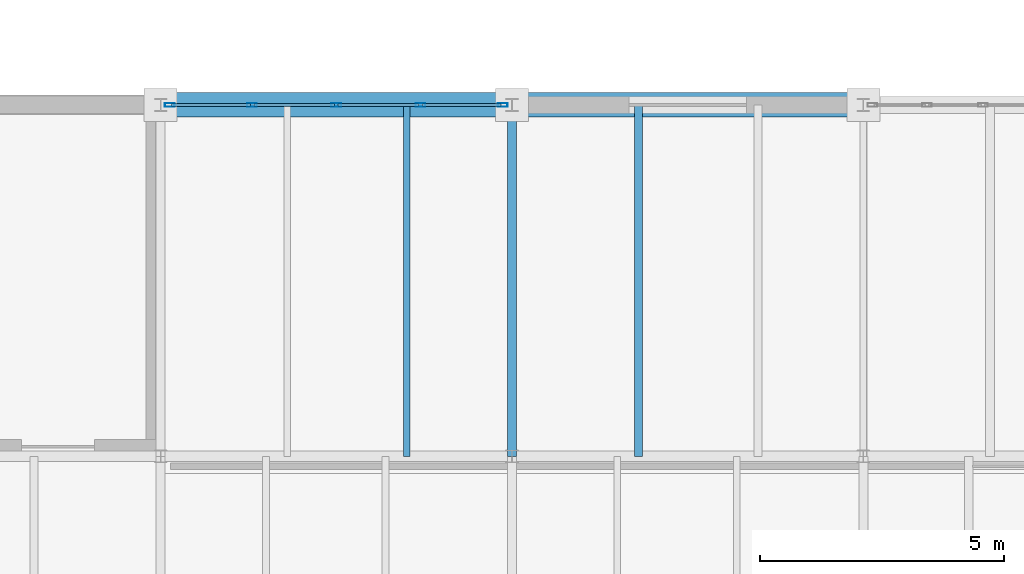
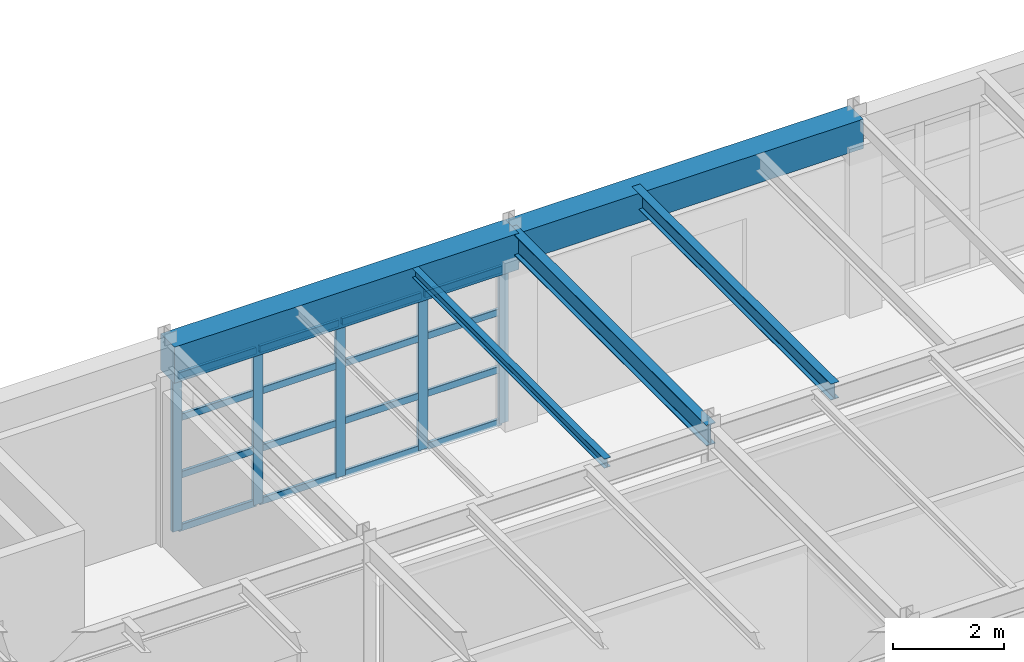
# One storey, part 52 of 137: 21 members, 5 beams, 1 element without a shape of its own.
"""IFC4 building model written with IfcOpenShell, lengths in metres."""

from ifc_helpers import new_model, si_unit, direction, frame, origin, origin_2d, place, context, subcontext, project, spatial, rectangle, hollow_rectangle, i_section, extrude, material, layer, layer_set, material_profile, profile_set, type_object, element, aggregate, save


model = new_model("IFC4")

# Units and contexts
model_context = context("Model", 3, precision=1e-05, world=origin(), true_north=direction((0.0, 1.0)))
body_context = subcontext(model_context, "Body", "Model", "MODEL_VIEW")
ifc_project = project(units=[si_unit("LENGTHUNIT", "METRE"), si_unit("AREAUNIT", "SQUARE_METRE"), si_unit("VOLUMEUNIT", "CUBIC_METRE"), si_unit("PLANEANGLEUNIT", "RADIAN"), si_unit("MASSUNIT", "GRAM", prefix="KILO")], contexts=[model_context])

# Site, building, storey
site_placement = place(None, origin())
site = spatial("IfcSite", under=ifc_project, at=site_placement, CompositionType="ELEMENT")
building_placement = place(site_placement, origin())
building = spatial("IfcBuilding", under=site, at=building_placement, Name="Kemerveld Promenade Tramway Depot", CompositionType="ELEMENT")
storey_placement = place(building_placement, frame((0.0, 0.0, 5.39990234375)))
storey = spatial("IfcBuildingStorey", under=building, at=storey_placement, Name="L01", CompositionType="ELEMENT", Elevation=5.39990234375)

# Beams
ifc_material_1 = material(Name="Steel S355", Category="steel")
ifc_material_profile_1 = material_profile(ifc_material_1, i_section(OverallWidth=0.19140625, OverallDepth=0.4599609375, WebThickness=0.010009765625, FlangeThickness=0.01611328125, FilletRadius=0.01025390625, at=origin_2d()), Name="457x191x82 UB")
ifc_profile_set_1 = profile_set([ifc_material_profile_1], Name="Steel S355")
beam_type_1 = type_object("IfcBeamType", Name="BM-G06", PredefinedType="BEAM", material=ifc_profile_set_1)
beam_1_placement = place(storey_placement, frame((108.0, 21.60009765625, 4.02001953125), z_axis=(0.0, 1.0, 0.0), x_axis=(-1.0, 0.0, 0.0)))
element("IfcBeam", 1, at=beam_1_placement, inside=storey, type_object=beam_type_1, Name="BMY-L01-16-D-E", PredefinedType="BEAM", context=body_context, shape_type="SweptSolid", body=[
    extrude(i_section(OverallWidth=0.19140625, OverallDepth=0.4599609375, WebThickness=0.010009765625, FlangeThickness=0.01611328125, FilletRadius=0.01025390625, at=origin_2d()), origin(), (0.0, 0.0, 1.0), 7.199951171875),
])
ifc_material_profile_2 = material_profile(ifc_material_1, i_section(OverallWidth=0.13330078125, OverallDepth=0.203125, WebThickness=0.005615234375, FlangeThickness=0.0078125, FilletRadius=0.007568359375, at=origin_2d()), Name="203x133x25 UB")
ifc_profile_set_2 = profile_set([ifc_material_profile_2], Name="Steel S355")
beam_type_2 = type_object("IfcBeamType", Name="BM-J03", PredefinedType="JOIST", material=ifc_profile_set_2)
beam_2_placement = place(storey_placement, frame((105.840087890625, 21.60009765625, 4.1484375), z_axis=(0.0, 1.0, 0.0), x_axis=(-1.0, 0.0, 0.0)))
element("IfcBeam", 2, at=beam_2_placement, inside=storey, type_object=beam_type_2, Name="JST-L01-15-D-2", PredefinedType="JOIST", context=body_context, shape_type="SweptSolid", body=[
    extrude(i_section(OverallWidth=0.13330078125, OverallDepth=0.203125, WebThickness=0.005615234375, FlangeThickness=0.0078125, FilletRadius=0.007568359375, at=origin_2d()), origin(), (0.0, 0.0, 1.0), 7.199951171875),
])
ifc_material_profile_3 = material_profile(ifc_material_1, i_section(OverallWidth=0.172119140625, OverallDepth=0.35791015625, WebThickness=0.008056640625, FlangeThickness=0.012939453125, FilletRadius=0.01025390625, at=origin_2d()), Name="356x171x57 UB")
ifc_profile_set_3 = profile_set([ifc_material_profile_3], Name="Steel S355")
beam_type_3 = type_object("IfcBeamType", Name="BM-J04", PredefinedType="JOIST", material=ifc_profile_set_3)
beam_3_placement = place(storey_placement, frame((110.592041015625, 21.60009765625, 4.071044921875), z_axis=(0.0, 1.0, 0.0), x_axis=(-1.0, 0.0, 0.0)))
element("IfcBeam", 3, at=beam_3_placement, inside=storey, type_object=beam_type_3, Name="JST-L01-16-D-1", PredefinedType="JOIST", context=body_context, shape_type="SweptSolid", body=[
    extrude(i_section(OverallWidth=0.172119140625, OverallDepth=0.35791015625, WebThickness=0.008056640625, FlangeThickness=0.012939453125, FilletRadius=0.01025390625, at=origin_2d()), origin(), (0.0, 0.0, 1.0), 7.199951171875),
])
ifc_material_2 = material(Name="Concrete C40/50", Category="concrete")
ifc_material_profile_4 = material_profile(ifc_material_2, rectangle(XDim=0.5, YDim=0.64990234375, at=origin_2d()), Name="RC-PLINTH-500x650")
ifc_profile_set_4 = profile_set([ifc_material_profile_4], Name="Concrete C40/50")
beam_type_4 = type_object("IfcBeamType", Name="BM-PL1", PredefinedType="BEAM", material=ifc_profile_set_4)
beam_4_placement = place(storey_placement, frame((108.0, 28.800048828125, 3.925048828125), z_axis=(1.0, 0.0, 0.0), x_axis=(0.0, 1.0, 0.0)))
element("IfcBeam", 4, at=beam_4_placement, inside=storey, type_object=beam_type_4, Name="BMX-L01-16-17-E", PredefinedType="BEAM", context=body_context, shape_type="SweptSolid", body=[
    extrude(rectangle(XDim=0.5, YDim=0.64990234375, at=origin_2d()), origin(), (0.0, 0.0, 1.0), 7.199951171875),
])
ifc_material_profile_5 = material_profile(ifc_material_2, rectangle(XDim=0.5, YDim=0.800048828125, at=origin_2d()), Name="RC-BM-500x800")
ifc_profile_set_5 = profile_set([ifc_material_profile_5], Name="Concrete C40/50")
beam_type_5 = type_object("IfcBeamType", Name="BM-RC2", PredefinedType="BEAM", material=ifc_profile_set_5)
beam_5_placement = place(storey_placement, frame((100.800048828125, 28.800048828125, 3.85009765625), z_axis=(1.0, 0.0, 0.0), x_axis=(0.0, 1.0, 0.0)))
element("IfcBeam", 5, at=beam_5_placement, inside=storey, type_object=beam_type_5, Name="BMX-L01-15-16-E", PredefinedType="BEAM", context=body_context, shape_type="SweptSolid", body=[
    extrude(rectangle(XDim=0.5, YDim=0.800048828125, at=origin_2d()), origin(), (0.0, 0.0, 1.0), 7.199951171875),
])

# Curtain wall, members
ifc_material_3 = material(Name="Bronze anodised aluminium and solar glass", Category="aluminium")
ifc_layer = layer(ifc_material_3, 0.199951171875)
ifc_layer_set = layer_set([ifc_layer], Name="CW-SYS-10")
curtain_wall_type = type_object("IfcCurtainWallType", Name="CW-SYS-10", PredefinedType="USERDEFINED", material=ifc_layer_set)
curtain_wall_placement = place(storey_placement, origin())
curtain_wall = element("IfcCurtainWall", 6, at=curtain_wall_placement, inside=storey, type_object=curtain_wall_type, Name="CW-L01-V4N-07", ObjectType="GLAZED_CURTAIN_WALL", PredefinedType="USERDEFINED")
ifc_material_4 = material(Name="Bronze anodised aluminium", Category="aluminium")
ifc_material_profile_6 = material_profile(ifc_material_4, hollow_rectangle(XDim=0.074951171875, YDim=0.199951171875, WallThickness=0.0048828125, InnerFilletRadius=0.001953125, OuterFilletRadius=0.0048828125, at=origin_2d()), Name="CW-MUL-200x75")
ifc_profile_set_6 = profile_set([ifc_material_profile_6], Name="Bronze anodised aluminium")
member_type_1 = type_object("IfcMemberType", Name="CW-MUL-B", PredefinedType="MULLION", material=ifc_profile_set_6)
member_1_placement = place(storey_placement, frame((100.987548828125, 28.800048828125, 0.0), z_axis=(0.0, 0.0, 1.0), x_axis=(0.0, 1.0, 0.0)))
member_1 = element("IfcMember", 7, at=member_1_placement, type_object=member_type_1, Name="CW10 mullion 1", PredefinedType="MULLION", context=body_context, shape_type="SweptSolid", body=[
    extrude(hollow_rectangle(XDim=0.074951171875, YDim=0.199951171875, WallThickness=0.0048828125, InnerFilletRadius=0.001953125, OuterFilletRadius=0.0048828125, at=origin_2d()), origin(), (0.0, 0.0, 1.0), 3.43017578125),
])
member_2_placement = place(storey_placement, frame((102.675048828125, 28.800048828125, 0.0), z_axis=(0.0, 0.0, 1.0), x_axis=(0.0, 1.0, 0.0)))
member_2 = element("IfcMember", 8, at=member_2_placement, type_object=member_type_1, Name="CW10 mullion 2", PredefinedType="MULLION", context=body_context, shape_type="SweptSolid", body=[
    extrude(hollow_rectangle(XDim=0.074951171875, YDim=0.199951171875, WallThickness=0.0048828125, InnerFilletRadius=0.001953125, OuterFilletRadius=0.0048828125, at=origin_2d()), origin(), (0.0, 0.0, 1.0), 3.43017578125),
])
member_3_placement = place(storey_placement, frame((104.39990234375, 28.800048828125, 0.0), z_axis=(0.0, 0.0, 1.0), x_axis=(0.0, 1.0, 0.0)))
member_3 = element("IfcMember", 9, at=member_3_placement, type_object=member_type_1, Name="CW10 mullion 3", PredefinedType="MULLION", context=body_context, shape_type="SweptSolid", body=[
    extrude(hollow_rectangle(XDim=0.074951171875, YDim=0.199951171875, WallThickness=0.0048828125, InnerFilletRadius=0.001953125, OuterFilletRadius=0.0048828125, at=origin_2d()), origin(), (0.0, 0.0, 1.0), 3.43017578125),
])
member_4_placement = place(storey_placement, frame((106.125, 28.800048828125, 0.0), z_axis=(0.0, 0.0, 1.0), x_axis=(0.0, 1.0, 0.0)))
member_4 = element("IfcMember", 10, at=member_4_placement, type_object=member_type_1, Name="CW10 mullion 4", PredefinedType="MULLION", context=body_context, shape_type="SweptSolid", body=[
    extrude(hollow_rectangle(XDim=0.074951171875, YDim=0.199951171875, WallThickness=0.0048828125, InnerFilletRadius=0.001953125, OuterFilletRadius=0.0048828125, at=origin_2d()), origin(), (0.0, 0.0, 1.0), 3.43017578125),
])
member_5_placement = place(storey_placement, frame((107.8125, 28.800048828125, 0.0), z_axis=(0.0, 0.0, 1.0), x_axis=(0.0, 1.0, 0.0)))
member_5 = element("IfcMember", 11, at=member_5_placement, type_object=member_type_1, Name="CW10 mullion 5", PredefinedType="MULLION", context=body_context, shape_type="SweptSolid", body=[
    extrude(hollow_rectangle(XDim=0.074951171875, YDim=0.199951171875, WallThickness=0.0048828125, InnerFilletRadius=0.001953125, OuterFilletRadius=0.0048828125, at=origin_2d()), origin(), (0.0, 0.0, 1.0), 3.43017578125),
])
ifc_material_profile_7 = material_profile(ifc_material_4, hollow_rectangle(XDim=0.06494140625, YDim=0.14990234375, WallThickness=0.00439453125, InnerFilletRadius=0.001953125, OuterFilletRadius=0.00439453125, at=origin_2d()), Name="CW-TRN-150x65")
ifc_profile_set_7 = profile_set([ifc_material_profile_7], Name="Bronze anodised aluminium")
member_type_2 = type_object("IfcMemberType", Name="CW-TRN-B", PredefinedType="USERDEFINED", material=ifc_profile_set_7)
member_6_placement = place(storey_placement, frame((101.025146484375, 28.800048828125, 0.03271484375), z_axis=(1.0, 0.0, 0.0), x_axis=(0.0, 1.0, 0.0)))
member_6 = element("IfcMember", 12, at=member_6_placement, type_object=member_type_2, Name="CW10 transom 1.1", ObjectType="TRANSOM", PredefinedType="USERDEFINED", context=body_context, shape_type="SweptSolid", body=[
    extrude(hollow_rectangle(XDim=0.06494140625, YDim=0.14990234375, WallThickness=0.00439453125, InnerFilletRadius=0.001953125, OuterFilletRadius=0.00439453125, at=origin_2d()), origin(), (0.0, 0.0, 1.0), 1.6123046875),
])
member_7_placement = place(storey_placement, frame((101.025146484375, 28.800048828125, 1.201171875), z_axis=(1.0, 0.0, 0.0), x_axis=(0.0, 1.0, 0.0)))
member_7 = element("IfcMember", 13, at=member_7_placement, type_object=member_type_2, Name="CW10 transom 1.2", ObjectType="TRANSOM", PredefinedType="USERDEFINED", context=body_context, shape_type="SweptSolid", body=[
    extrude(hollow_rectangle(XDim=0.06494140625, YDim=0.14990234375, WallThickness=0.00439453125, InnerFilletRadius=0.001953125, OuterFilletRadius=0.00439453125, at=origin_2d()), origin(), (0.0, 0.0, 1.0), 1.6123046875),
])
member_8_placement = place(storey_placement, frame((101.025146484375, 28.800048828125, 2.47021484375), z_axis=(1.0, 0.0, 0.0), x_axis=(0.0, 1.0, 0.0)))
member_8 = element("IfcMember", 14, at=member_8_placement, type_object=member_type_2, Name="CW10 transom 1.3", ObjectType="TRANSOM", PredefinedType="USERDEFINED", context=body_context, shape_type="SweptSolid", body=[
    extrude(hollow_rectangle(XDim=0.06494140625, YDim=0.14990234375, WallThickness=0.00439453125, InnerFilletRadius=0.001953125, OuterFilletRadius=0.00439453125, at=origin_2d()), origin(), (0.0, 0.0, 1.0), 1.6123046875),
])
member_9_placement = place(storey_placement, frame((101.025146484375, 28.800048828125, 3.397705078125), z_axis=(1.0, 0.0, 0.0), x_axis=(0.0, 1.0, 0.0)))
member_9 = element("IfcMember", 15, at=member_9_placement, type_object=member_type_2, Name="CW10 transom 1.4", ObjectType="TRANSOM", PredefinedType="USERDEFINED", context=body_context, shape_type="SweptSolid", body=[
    extrude(hollow_rectangle(XDim=0.06494140625, YDim=0.14990234375, WallThickness=0.00439453125, InnerFilletRadius=0.001953125, OuterFilletRadius=0.00439453125, at=origin_2d()), origin(), (0.0, 0.0, 1.0), 1.6123046875),
])
member_10_placement = place(storey_placement, frame((102.712646484375, 28.800048828125, 0.03271484375), z_axis=(1.0, 0.0, 0.0), x_axis=(0.0, 1.0, 0.0)))
member_10 = element("IfcMember", 16, at=member_10_placement, type_object=member_type_2, Name="CW10 transom 2.1", ObjectType="TRANSOM", PredefinedType="USERDEFINED", context=body_context, shape_type="SweptSolid", body=[
    extrude(hollow_rectangle(XDim=0.06494140625, YDim=0.14990234375, WallThickness=0.00439453125, InnerFilletRadius=0.001953125, OuterFilletRadius=0.00439453125, at=origin_2d()), origin(), (0.0, 0.0, 1.0), 1.64990234375),
])
member_11_placement = place(storey_placement, frame((102.712646484375, 28.800048828125, 1.201171875), z_axis=(1.0, 0.0, 0.0), x_axis=(0.0, 1.0, 0.0)))
member_11 = element("IfcMember", 17, at=member_11_placement, type_object=member_type_2, Name="CW10 transom 2.2", ObjectType="TRANSOM", PredefinedType="USERDEFINED", context=body_context, shape_type="SweptSolid", body=[
    extrude(hollow_rectangle(XDim=0.06494140625, YDim=0.14990234375, WallThickness=0.00439453125, InnerFilletRadius=0.001953125, OuterFilletRadius=0.00439453125, at=origin_2d()), origin(), (0.0, 0.0, 1.0), 1.64990234375),
])
member_12_placement = place(storey_placement, frame((102.712646484375, 28.800048828125, 2.47021484375), z_axis=(1.0, 0.0, 0.0), x_axis=(0.0, 1.0, 0.0)))
member_12 = element("IfcMember", 18, at=member_12_placement, type_object=member_type_2, Name="CW10 transom 2.3", ObjectType="TRANSOM", PredefinedType="USERDEFINED", context=body_context, shape_type="SweptSolid", body=[
    extrude(hollow_rectangle(XDim=0.06494140625, YDim=0.14990234375, WallThickness=0.00439453125, InnerFilletRadius=0.001953125, OuterFilletRadius=0.00439453125, at=origin_2d()), origin(), (0.0, 0.0, 1.0), 1.64990234375),
])
member_13_placement = place(storey_placement, frame((102.712646484375, 28.800048828125, 3.397705078125), z_axis=(1.0, 0.0, 0.0), x_axis=(0.0, 1.0, 0.0)))
member_13 = element("IfcMember", 19, at=member_13_placement, type_object=member_type_2, Name="CW10 transom 2.4", ObjectType="TRANSOM", PredefinedType="USERDEFINED", context=body_context, shape_type="SweptSolid", body=[
    extrude(hollow_rectangle(XDim=0.06494140625, YDim=0.14990234375, WallThickness=0.00439453125, InnerFilletRadius=0.001953125, OuterFilletRadius=0.00439453125, at=origin_2d()), origin(), (0.0, 0.0, 1.0), 1.64990234375),
])
member_14_placement = place(storey_placement, frame((104.4375, 28.800048828125, 0.03271484375), z_axis=(1.0, 0.0, 0.0), x_axis=(0.0, 1.0, 0.0)))
member_14 = element("IfcMember", 20, at=member_14_placement, type_object=member_type_2, Name="CW10 transom 3.1", ObjectType="TRANSOM", PredefinedType="USERDEFINED", context=body_context, shape_type="SweptSolid", body=[
    extrude(hollow_rectangle(XDim=0.06494140625, YDim=0.14990234375, WallThickness=0.00439453125, InnerFilletRadius=0.001953125, OuterFilletRadius=0.00439453125, at=origin_2d()), origin(), (0.0, 0.0, 1.0), 1.64990234375),
])
member_15_placement = place(storey_placement, frame((104.4375, 28.800048828125, 1.201171875), z_axis=(1.0, 0.0, 0.0), x_axis=(0.0, 1.0, 0.0)))
member_15 = element("IfcMember", 21, at=member_15_placement, type_object=member_type_2, Name="CW10 transom 3.2", ObjectType="TRANSOM", PredefinedType="USERDEFINED", context=body_context, shape_type="SweptSolid", body=[
    extrude(hollow_rectangle(XDim=0.06494140625, YDim=0.14990234375, WallThickness=0.00439453125, InnerFilletRadius=0.001953125, OuterFilletRadius=0.00439453125, at=origin_2d()), origin(), (0.0, 0.0, 1.0), 1.64990234375),
])
member_16_placement = place(storey_placement, frame((104.4375, 28.800048828125, 2.47021484375), z_axis=(1.0, 0.0, 0.0), x_axis=(0.0, 1.0, 0.0)))
member_16 = element("IfcMember", 22, at=member_16_placement, type_object=member_type_2, Name="CW10 transom 3.3", ObjectType="TRANSOM", PredefinedType="USERDEFINED", context=body_context, shape_type="SweptSolid", body=[
    extrude(hollow_rectangle(XDim=0.06494140625, YDim=0.14990234375, WallThickness=0.00439453125, InnerFilletRadius=0.001953125, OuterFilletRadius=0.00439453125, at=origin_2d()), origin(), (0.0, 0.0, 1.0), 1.64990234375),
])
member_17_placement = place(storey_placement, frame((104.4375, 28.800048828125, 3.397705078125), z_axis=(1.0, 0.0, 0.0), x_axis=(0.0, 1.0, 0.0)))
member_17 = element("IfcMember", 23, at=member_17_placement, type_object=member_type_2, Name="CW10 transom 3.4", ObjectType="TRANSOM", PredefinedType="USERDEFINED", context=body_context, shape_type="SweptSolid", body=[
    extrude(hollow_rectangle(XDim=0.06494140625, YDim=0.14990234375, WallThickness=0.00439453125, InnerFilletRadius=0.001953125, OuterFilletRadius=0.00439453125, at=origin_2d()), origin(), (0.0, 0.0, 1.0), 1.64990234375),
])
member_18_placement = place(storey_placement, frame((106.162353515625, 28.800048828125, 0.03271484375), z_axis=(1.0, 0.0, 0.0), x_axis=(0.0, 1.0, 0.0)))
member_18 = element("IfcMember", 24, at=member_18_placement, type_object=member_type_2, Name="CW10 transom 4.1", ObjectType="TRANSOM", PredefinedType="USERDEFINED", context=body_context, shape_type="SweptSolid", body=[
    extrude(hollow_rectangle(XDim=0.06494140625, YDim=0.14990234375, WallThickness=0.00439453125, InnerFilletRadius=0.001953125, OuterFilletRadius=0.00439453125, at=origin_2d()), origin(), (0.0, 0.0, 1.0), 1.612548828125),
])
member_19_placement = place(storey_placement, frame((106.162353515625, 28.800048828125, 1.201171875), z_axis=(1.0, 0.0, 0.0), x_axis=(0.0, 1.0, 0.0)))
member_19 = element("IfcMember", 25, at=member_19_placement, type_object=member_type_2, Name="CW10 transom 4.2", ObjectType="TRANSOM", PredefinedType="USERDEFINED", context=body_context, shape_type="SweptSolid", body=[
    extrude(hollow_rectangle(XDim=0.06494140625, YDim=0.14990234375, WallThickness=0.00439453125, InnerFilletRadius=0.001953125, OuterFilletRadius=0.00439453125, at=origin_2d()), origin(), (0.0, 0.0, 1.0), 1.612548828125),
])
member_20_placement = place(storey_placement, frame((106.162353515625, 28.800048828125, 2.47021484375), z_axis=(1.0, 0.0, 0.0), x_axis=(0.0, 1.0, 0.0)))
member_20 = element("IfcMember", 26, at=member_20_placement, type_object=member_type_2, Name="CW10 transom 4.3", ObjectType="TRANSOM", PredefinedType="USERDEFINED", context=body_context, shape_type="SweptSolid", body=[
    extrude(hollow_rectangle(XDim=0.06494140625, YDim=0.14990234375, WallThickness=0.00439453125, InnerFilletRadius=0.001953125, OuterFilletRadius=0.00439453125, at=origin_2d()), origin(), (0.0, 0.0, 1.0), 1.612548828125),
])
member_21_placement = place(storey_placement, frame((106.162353515625, 28.800048828125, 3.397705078125), z_axis=(1.0, 0.0, 0.0), x_axis=(0.0, 1.0, 0.0)))
member_21 = element("IfcMember", 27, at=member_21_placement, type_object=member_type_2, Name="CW10 transom 4.4", ObjectType="TRANSOM", PredefinedType="USERDEFINED", context=body_context, shape_type="SweptSolid", body=[
    extrude(hollow_rectangle(XDim=0.06494140625, YDim=0.14990234375, WallThickness=0.00439453125, InnerFilletRadius=0.001953125, OuterFilletRadius=0.00439453125, at=origin_2d()), origin(), (0.0, 0.0, 1.0), 1.612548828125),
])
aggregate(curtain_wall, [member_1, member_2, member_3, member_4, member_5, member_6, member_7, member_8, member_9, member_10, member_11, member_12, member_13, member_14, member_15, member_16, member_17, member_18, member_19, member_20, member_21])

save(model, "model.ifc")
